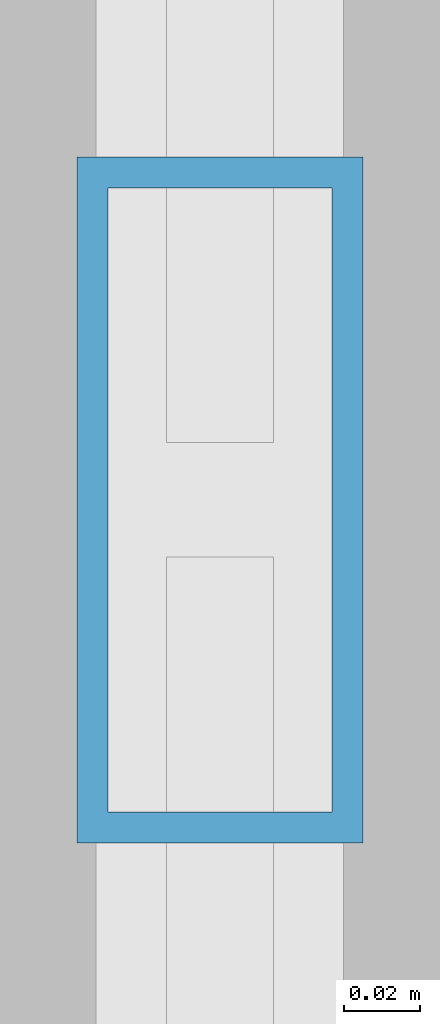
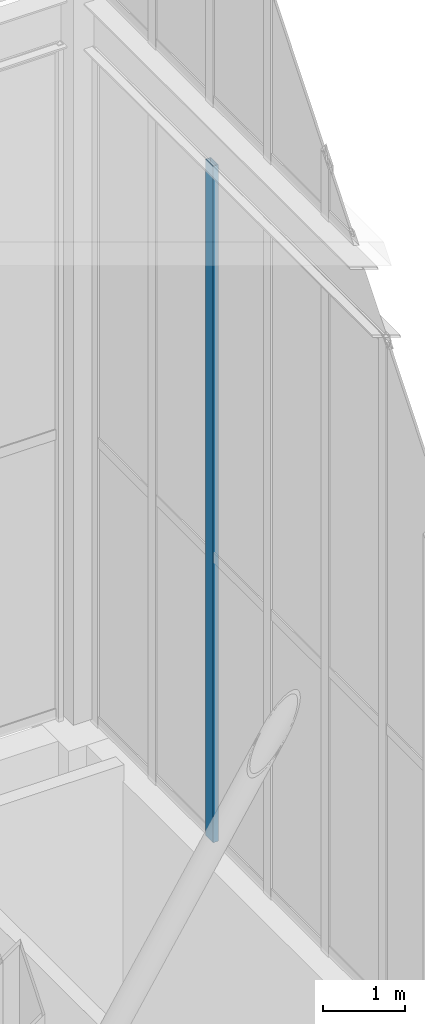
# One storey, part 113 of 135: 1 member, 1 element without a shape of its own.
"""IFC4 building model written with IfcOpenShell, lengths in metres."""

from ifc_helpers import new_model, si_unit, direction, frame, origin, origin_2d, place, context, subcontext, project, spatial, hollow_rectangle, extrude, source, transform, mapped, material, layer, layer_set, material_profile, profile_set, type_object, element, aggregate, save


model = new_model("IFC4")

# Units and contexts
model_context = context("Model", 3, precision=1e-05, world=origin(), true_north=direction((0.0, 1.0)))
body_context = subcontext(model_context, "Body", "Model", "MODEL_VIEW")
ifc_project = project(units=[si_unit("LENGTHUNIT", "METRE"), si_unit("AREAUNIT", "SQUARE_METRE"), si_unit("VOLUMEUNIT", "CUBIC_METRE"), si_unit("PLANEANGLEUNIT", "RADIAN"), si_unit("MASSUNIT", "GRAM", prefix="KILO")], contexts=[model_context])

# Site, building, storey
site_placement = place(None, origin())
site = spatial("IfcSite", under=ifc_project, at=site_placement, CompositionType="ELEMENT")
building_placement = place(site_placement, origin())
building = spatial("IfcBuilding", under=site, at=building_placement, Name="Giltprow Tower", CompositionType="ELEMENT")
storey_placement = place(building_placement, frame((0.0, 0.0, 352.699951171875)))
storey = spatial("IfcBuildingStorey", under=building, at=storey_placement, Name="L92", CompositionType="ELEMENT", Elevation=352.699951171875)

# Curtain wall, member
ifc_material = material(Name="Anodized bronze", Category="metal")
ifc_layer = layer(ifc_material, 0.179931640625, Name="Anodized bronze")
ifc_layer_set = layer_set([ifc_layer], Name="Anodized bronze")
curtain_wall_type = type_object("IfcCurtainWallType", Name="CW-CROWN-LANTERN", PredefinedType="NOTDEFINED", material=ifc_layer_set)
curtain_wall_placement = place(storey_placement, origin())
curtain_wall = element("IfcCurtainWall", 1, at=curtain_wall_placement, inside=storey, type_object=curtain_wall_type, Name="Crown East Lower Lantern Glazing 3", PredefinedType="NOTDEFINED")
ifc_material_profile = material_profile(ifc_material, hollow_rectangle(XDim=0.074951171875, YDim=0.179931640625, WallThickness=0.008056640625, at=origin_2d()), Name="RHS 180x75x8")
ifc_profile_set = profile_set([ifc_material_profile], Name="Anodized bronze")
member_type = type_object("IfcMemberType", Name="CW-MULLION-180x75", PredefinedType="MULLION", material=ifc_profile_set)
shared_shape = source(origin(), body_context, "Body", "SweptSolid", [
    extrude(hollow_rectangle(XDim=0.074951171875, YDim=0.179931640625, WallThickness=0.008056640625, at=origin_2d()), origin(), (0.0, 0.0, 1.0), 10.030029296875),
])
member_placement = place(storey_placement, frame((50.550048828125, 43.39990234375, 6.35009765625), z_axis=(0.0, 0.0, 1.0), x_axis=(1.0, 0.0, 0.0)))
member = element("IfcMember", 2, at=member_placement, type_object=member_type, Name="Crown East Lower Lantern Glazing 3 Mullion 5", PredefinedType="MULLION", context=body_context, shape_type="MappedRepresentation", body=[
    mapped(shared_shape, transform((0.0, 0.0, 0.0), x_axis=(1.0, 0.0, 0.0), y_axis=(0.0, 1.0, 0.0), z_axis=(0.0, 0.0, 1.0), scale=1.0)),
])
aggregate(curtain_wall, [member])

save(model, "model.ifc")
